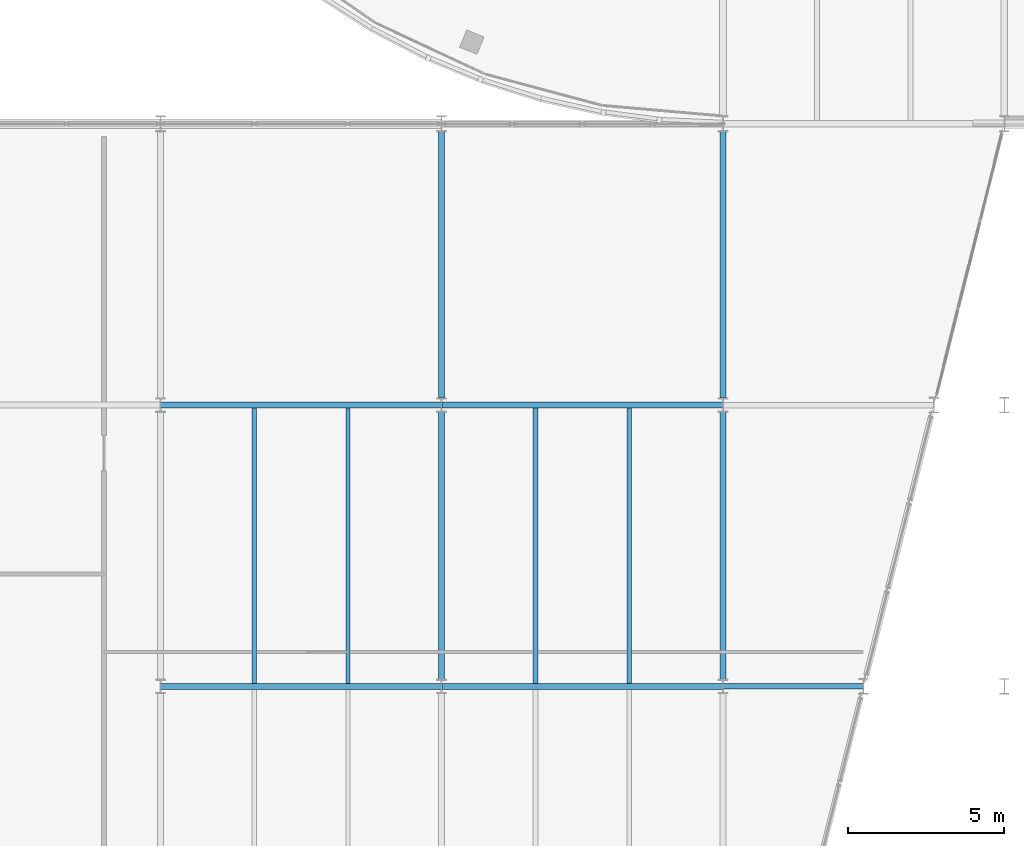
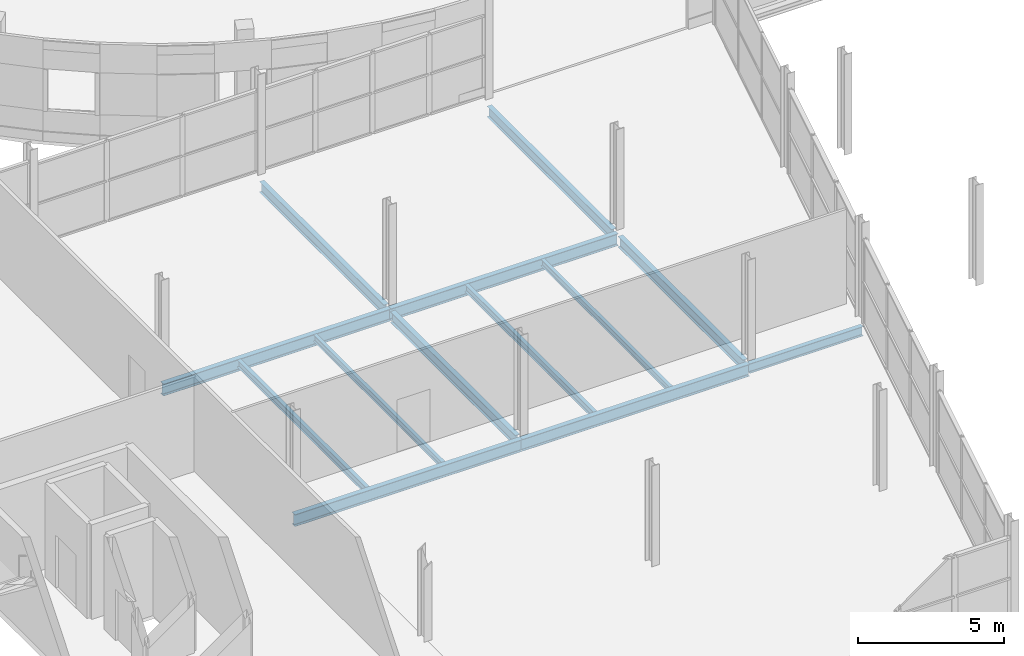
# One storey, part 74 of 140: 13 beams.
"""IFC4 building model written with IfcOpenShell, lengths in metres."""

from ifc_helpers import new_model, si_unit, direction, frame, origin, origin_2d, place, context, subcontext, project, spatial, i_section, extrude, material, material_profile, profile_set, type_object, element, save


model = new_model("IFC4")

# Units and contexts
model_context = context("Model", 3, precision=1e-05, world=origin(), true_north=direction((0.0, 1.0)))
body_context = subcontext(model_context, "Body", "Model", "MODEL_VIEW")
ifc_project = project(units=[si_unit("LENGTHUNIT", "METRE"), si_unit("AREAUNIT", "SQUARE_METRE"), si_unit("VOLUMEUNIT", "CUBIC_METRE"), si_unit("PLANEANGLEUNIT", "RADIAN"), si_unit("MASSUNIT", "GRAM", prefix="KILO")], contexts=[model_context])

# Site, building, storey
site_placement = place(None, origin())
site = spatial("IfcSite", under=ifc_project, at=site_placement, CompositionType="ELEMENT")
building_placement = place(site_placement, origin())
building = spatial("IfcBuilding", under=site, at=building_placement, Name="Deido Ridge Mobility Hub", CompositionType="ELEMENT")
storey_placement = place(building_placement, origin())
storey = spatial("IfcBuildingStorey", under=building, at=storey_placement, Name="L00", CompositionType="ELEMENT", Elevation=0.0)

# Beams
ifc_material = material(Name="Steel S355J2 EN 10025-2", Category="steel")
ifc_material_profile_1 = material_profile(ifc_material, i_section(OverallWidth=0.179931640625, OverallDepth=0.39990234375, WebThickness=0.008544921875, FlangeThickness=0.013427734375, FilletRadius=0.02099609375, at=origin_2d()), Name="IPE 400")
ifc_profile_set_1 = profile_set([ifc_material_profile_1], Name="Steel S355J2 EN 10025-2")
beam_type_1 = type_object("IfcBeamType", Name="BM-IPE400", PredefinedType="BEAM", material=ifc_profile_set_1)
beam_1_placement = place(storey_placement, frame((45.007080078125, 63.0, -0.4599609375), z_axis=(1.0, 0.0, 0.0), x_axis=(0.0, 1.0, 0.0)))
element("IfcBeam", 1, at=beam_1_placement, inside=storey, type_object=beam_type_1, Name="Floor beam B5", PredefinedType="BEAM", context=body_context, shape_type="SweptSolid", body=[
    extrude(i_section(OverallWidth=0.179931640625, OverallDepth=0.39990234375, WebThickness=0.008544921875, FlangeThickness=0.013427734375, FilletRadius=0.02099609375, at=origin_2d()), origin(), (0.0, 0.0, 1.0), 4.48583984375),
])
ifc_material_profile_2 = material_profile(ifc_material, i_section(OverallWidth=0.18994140625, OverallDepth=0.449951171875, WebThickness=0.009521484375, FlangeThickness=0.0146484375, FilletRadius=0.02099609375, at=origin_2d()), Name="IPE 450")
ifc_profile_set_2 = profile_set([ifc_material_profile_2], Name="Steel S355J2 EN 10025-2")
beam_type_2 = type_object("IfcBeamType", Name="BM-IPE450", PredefinedType="BEAM", material=ifc_profile_set_2)
beam_2_placement = place(storey_placement, frame((36.0, 63.22509765625, -0.485107421875), z_axis=(0.0, 1.0, 0.0), x_axis=(-1.0, 0.0, 0.0)))
element("IfcBeam", 2, at=beam_2_placement, inside=storey, type_object=beam_type_2, Name="Floor beam B4", PredefinedType="BEAM", context=body_context, shape_type="SweptSolid", body=[
    extrude(i_section(OverallWidth=0.18994140625, OverallDepth=0.449951171875, WebThickness=0.009521484375, FlangeThickness=0.0146484375, FilletRadius=0.02099609375, at=origin_2d()), origin(), (0.0, 0.0, 1.0), 8.5498046875),
])
beam_3_placement = place(storey_placement, frame((36.0, 72.22509765625, -0.485107421875), z_axis=(0.0, 1.0, 0.0), x_axis=(-1.0, 0.0, 0.0)))
element("IfcBeam", 3, at=beam_3_placement, inside=storey, type_object=beam_type_2, Name="Floor beam B4", PredefinedType="BEAM", context=body_context, shape_type="SweptSolid", body=[
    extrude(i_section(OverallWidth=0.18994140625, OverallDepth=0.449951171875, WebThickness=0.009521484375, FlangeThickness=0.0146484375, FilletRadius=0.02099609375, at=origin_2d()), origin(), (0.0, 0.0, 1.0), 8.52490234375),
])
beam_4_placement = place(storey_placement, frame((45.0, 63.22509765625, -0.485107421875), z_axis=(0.0, 1.0, 0.0), x_axis=(-1.0, 0.0, 0.0)))
element("IfcBeam", 4, at=beam_4_placement, inside=storey, type_object=beam_type_2, Name="Floor beam B4", PredefinedType="BEAM", context=body_context, shape_type="SweptSolid", body=[
    extrude(i_section(OverallWidth=0.18994140625, OverallDepth=0.449951171875, WebThickness=0.009521484375, FlangeThickness=0.0146484375, FilletRadius=0.02099609375, at=origin_2d()), origin(), (0.0, 0.0, 1.0), 8.5498046875),
])
beam_5_placement = place(storey_placement, frame((45.0, 72.22509765625, -0.485107421875), z_axis=(0.0, 1.0, 0.0), x_axis=(-1.0, 0.0, 0.0)))
element("IfcBeam", 5, at=beam_5_placement, inside=storey, type_object=beam_type_2, Name="Floor beam B4", PredefinedType="BEAM", context=body_context, shape_type="SweptSolid", body=[
    extrude(i_section(OverallWidth=0.18994140625, OverallDepth=0.449951171875, WebThickness=0.009521484375, FlangeThickness=0.0146484375, FilletRadius=0.02099609375, at=origin_2d()), origin(), (0.0, 0.0, 1.0), 8.52490234375),
])
ifc_material_profile_3 = material_profile(ifc_material, i_section(OverallWidth=0.199951171875, OverallDepth=0.5, WebThickness=0.01025390625, FlangeThickness=0.01611328125, FilletRadius=0.02099609375, at=origin_2d()), Name="IPE 500")
ifc_profile_set_3 = profile_set([ifc_material_profile_3], Name="Steel S355J2 EN 10025-2")
beam_type_3 = type_object("IfcBeamType", Name="BM-IPE500", PredefinedType="BEAM", material=ifc_profile_set_3)
for number, where, z_axis, x_axis, name in (
    (6, (27.007080078125, 63.0, -0.510009765625), (1.0, 0.0, 0.0), (0.0, 1.0, 0.0), "Floor beam B3"),
    (7, (36.007080078125, 63.0, -0.510009765625), (1.0, 0.0, 0.0), (0.0, 1.0, 0.0), "Floor beam B3"),
    (8, (27.007080078125, 72.0, -0.510009765625), (1.0, 0.0, 0.0), (0.0, 1.0, 0.0), "Floor beam B3"),
    (9, (36.007080078125, 72.0, -0.510009765625), (1.0, 0.0, 0.0), (0.0, 1.0, 0.0), "Floor beam B3"),
):
    element("IfcBeam", number, at=place(storey_placement, frame(where, z_axis=z_axis, x_axis=x_axis)), inside=storey, type_object=beam_type_3, Name=name, PredefinedType="BEAM", context=body_context, shape_type="SweptSolid", body=[
        extrude(i_section(OverallWidth=0.199951171875, OverallDepth=0.5, WebThickness=0.01025390625, FlangeThickness=0.01611328125, FilletRadius=0.02099609375, at=origin_2d()), origin(), (0.0, 0.0, 1.0), 8.98583984375),
    ])
ifc_material_profile_4 = material_profile(ifc_material, i_section(OverallWidth=0.135009765625, OverallDepth=0.27001953125, WebThickness=0.006591796875, FlangeThickness=0.01025390625, FilletRadius=0.014892578125, at=origin_2d()), Name="IPE 270")
ifc_profile_set_4 = profile_set([ifc_material_profile_4], Name="Steel S355J2 EN 10025-2")
beam_type_4 = type_object("IfcBeamType", Name="JST-IPE270", PredefinedType="JOIST", material=ifc_profile_set_4)
for number, where, z_axis, x_axis, name in (
    (10, (33.0, 63.10009765625, -0.39501953125), (0.0, 1.0, 0.0), (-1.0, 0.0, 0.0), "Composite joist J4"),
    (11, (42.0, 63.10009765625, -0.39501953125), (0.0, 1.0, 0.0), (-1.0, 0.0, 0.0), "Composite joist J4"),
):
    element("IfcBeam", number, at=place(storey_placement, frame(where, z_axis=z_axis, x_axis=x_axis)), inside=storey, type_object=beam_type_4, Name=name, PredefinedType="JOIST", context=body_context, shape_type="SweptSolid", body=[
        extrude(i_section(OverallWidth=0.135009765625, OverallDepth=0.27001953125, WebThickness=0.006591796875, FlangeThickness=0.01025390625, FilletRadius=0.014892578125, at=origin_2d()), origin(), (0.0, 0.0, 1.0), 8.7998046875),
    ])
ifc_material_profile_5 = material_profile(ifc_material, i_section(OverallWidth=0.14990234375, OverallDepth=0.300048828125, WebThickness=0.007080078125, FlangeThickness=0.0107421875, FilletRadius=0.014892578125, at=origin_2d()), Name="IPE 300")
ifc_profile_set_5 = profile_set([ifc_material_profile_5], Name="Steel S355J2 EN 10025-2")
beam_type_5 = type_object("IfcBeamType", Name="JST-IPE300", PredefinedType="JOIST", material=ifc_profile_set_5)
for number, where, z_axis, x_axis, name in (
    (12, (30.0, 63.10009765625, -0.409912109375), (0.0, 1.0, 0.0), (-1.0, 0.0, 0.0), "Composite joist J3"),
    (13, (39.0, 63.10009765625, -0.409912109375), (0.0, 1.0, 0.0), (-1.0, 0.0, 0.0), "Composite joist J3"),
):
    element("IfcBeam", number, at=place(storey_placement, frame(where, z_axis=z_axis, x_axis=x_axis)), inside=storey, type_object=beam_type_5, Name=name, PredefinedType="JOIST", context=body_context, shape_type="SweptSolid", body=[
        extrude(i_section(OverallWidth=0.14990234375, OverallDepth=0.300048828125, WebThickness=0.007080078125, FlangeThickness=0.0107421875, FilletRadius=0.014892578125, at=origin_2d()), origin(), (0.0, 0.0, 1.0), 8.7998046875),
    ])

save(model, "model.ifc")
